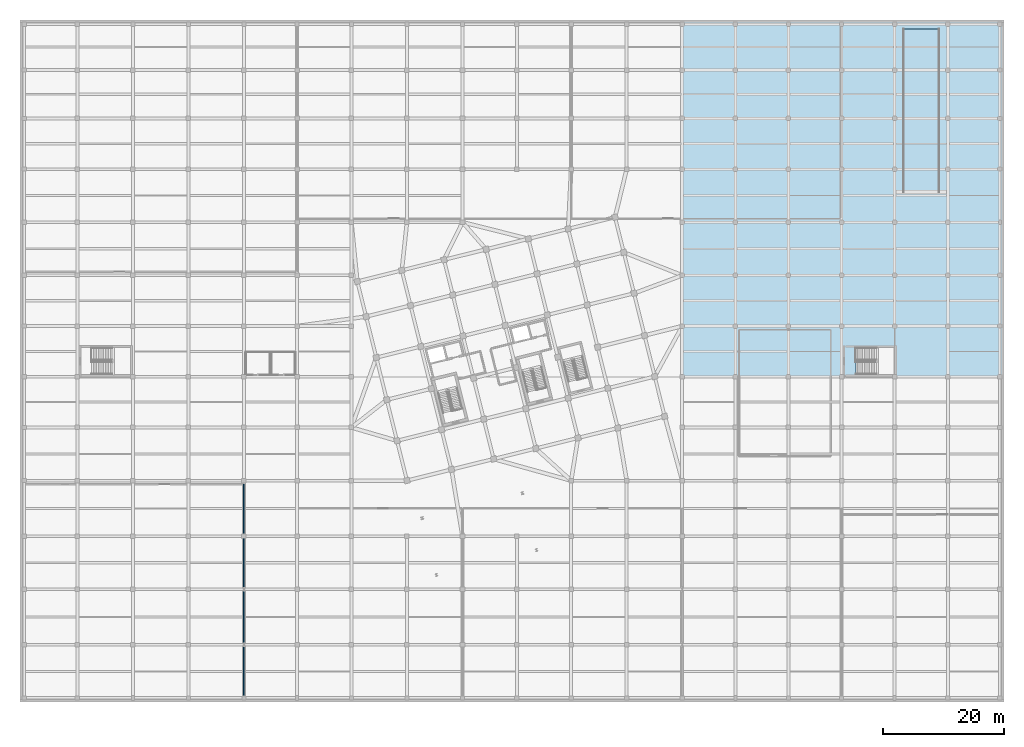
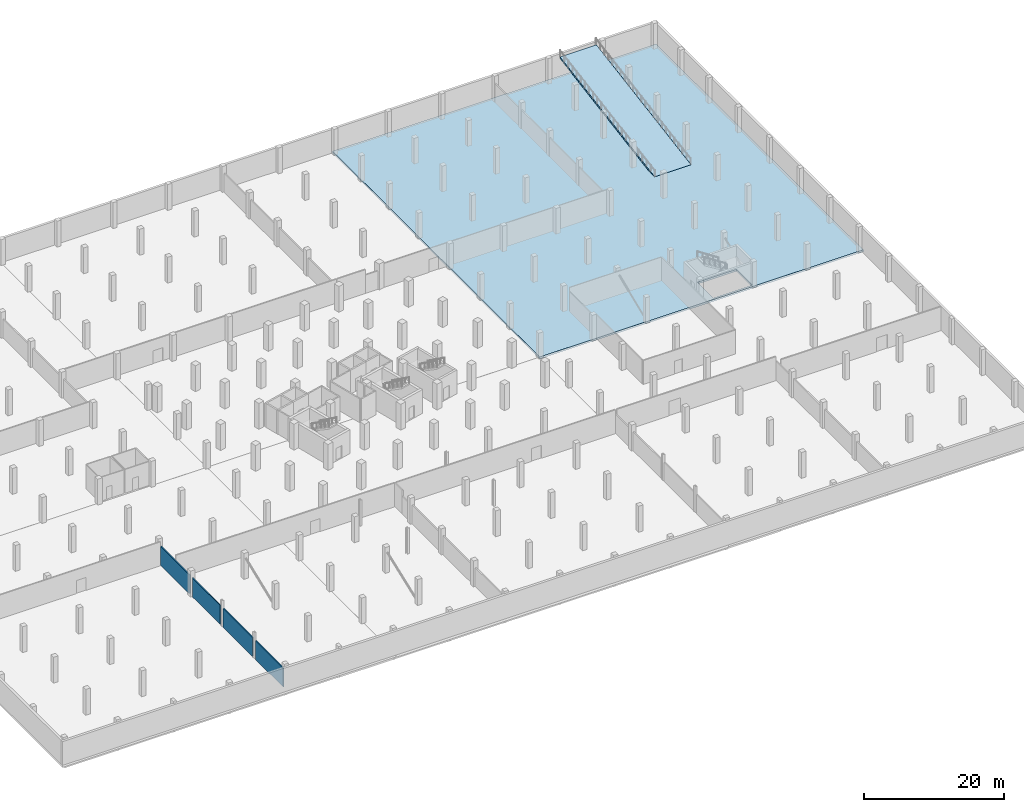
# One storey, part 17 of 31: 4 walls, 2 slabs.
"""IFC4 building model written with IfcOpenShell, lengths in metres."""

from ifc_helpers import new_model, si_unit, direction, frame, frame_2d, origin, place, context, subcontext, project, spatial, polyline, rectangle, outline, extrude, material, layer, layer_set, type_object, element, save


model = new_model("IFC4")

# Units and contexts
model_context = context("Model", 3, precision=1e-05, world=origin(), true_north=direction((0.0, 1.0)))
body_context = subcontext(model_context, "Body", "Model", "MODEL_VIEW")
ifc_project = project(units=[si_unit("LENGTHUNIT", "METRE"), si_unit("AREAUNIT", "SQUARE_METRE"), si_unit("VOLUMEUNIT", "CUBIC_METRE"), si_unit("PLANEANGLEUNIT", "RADIAN"), si_unit("MASSUNIT", "GRAM", prefix="KILO")], contexts=[model_context])

# Site, building, storey
site_placement = place(None, origin())
site = spatial("IfcSite", under=ifc_project, at=site_placement, CompositionType="ELEMENT")
building_placement = place(site_placement, origin())
building = spatial("IfcBuilding", under=site, at=building_placement, Name="Meriwether Solvik Hall", CompositionType="ELEMENT")
storey_placement = place(building_placement, frame((0.0, 0.0, -4.5)))
storey = spatial("IfcBuildingStorey", under=building, at=storey_placement, Name="B01", CompositionType="ELEMENT", Elevation=-4.5)

# Slabs
ifc_material_1 = material(Name="Concrete C40/50", Category="concrete")
ifc_layer_1 = layer(ifc_material_1, 0.330078125)
ifc_layer_set_1 = layer_set([ifc_layer_1], Name="Concrete C40/50")
slab_type_1 = type_object("IfcSlabType", Name="SLB-RC-330", PredefinedType="FLOOR", material=ifc_layer_set_1)
slab_1_placement = place(storey_placement, frame((0.0, 0.0, -0.330078125)))
element("IfcSlab", 1, at=slab_1_placement, inside=storey, type_object=slab_type_1, Name="B01 Structural Slab Zone 6", PredefinedType="FLOOR", context=body_context, shape_type="SweptSolid", body=[
    extrude(outline(polyline([(114.202880859375, 117.5), (167.5, 117.5), (167.5, 58.403076171875), (114.202880859375, 58.403076171875), (114.202880859375, 117.5)]), holes=[polyline([(149.39990234375, 63.25), (142.968017578125, 63.25), (142.968017578125, 58.75), (149.39990234375, 58.75), (149.39990234375, 63.25)])]), origin(), (0.0, 0.0, 1.0), 0.330078125),
])
ifc_material_2 = material(Name="Concrete C40/50", Category="concrete")
ifc_layer_2 = layer(ifc_material_2, 0.300048828125)
ifc_layer_set_2 = layer_set([ifc_layer_2], Name="Concrete C40/50")
slab_type_2 = type_object("IfcSlabType", Name="SLB-RMP-VEH-300", PredefinedType="FLOOR", material=ifc_layer_set_2)
slab_2_placement = place(storey_placement, frame((153.800048828125, 89.0, 0.0), z_axis=(0.0, 0.0, 1.0), x_axis=(0.0, 1.0, 0.0)))
element("IfcSlab", 2, at=slab_2_placement, inside=storey, type_object=slab_type_2, Name="Basement Vehicle Ramp Slab", PredefinedType="FLOOR", context=body_context, shape_type="SweptSolid", body=[
    extrude(outline(polyline([(0.0, 0.0), (27.0, 4.5), (27.0, 4.199951171875), (0.0, -0.300048828125), (0.0, 0.0)])), frame((0.0, 3.0, 0.0), z_axis=(0.0, -1.0, 0.0), x_axis=(1.0, 0.0, 0.0)), (0.0, 0.0, 1.0), 6.0),
])

# Walls
ifc_material_3 = material(Name="Fire-Rated Type X Gypsum Board", Category="gypsum")
ifc_layer_3 = layer(ifc_material_3, 0.175048828125)
ifc_layer_set_3 = layer_set([ifc_layer_3], Name="Fire-Rated Type X Gypsum Board")
wall_type = type_object("IfcWallType", Name="WALL-CORR-175", PredefinedType="PARTITIONING", material=ifc_layer_set_3)
wall_1_placement = place(storey_placement, frame((41.60009765625, 5.639892578125, 0.0), z_axis=(0.0, 0.0, 1.0), x_axis=(0.0, 1.0, 0.0)))
element("IfcWall", 3, at=wall_1_placement, inside=storey, type_object=wall_type, Name="B01 Interior Partition bike_hub_e", PredefinedType="PARTITIONING", context=body_context, shape_type="SweptSolid", body=[
    extrude(rectangle(XDim=7.920166015625, YDim=0.175048828125, at=frame_2d((3.9599609375, 0.0))), origin(), (0.0, 0.0, 1.0), 3.2900390625),
])
wall_2_placement = place(storey_placement, frame((41.60009765625, 14.43994140625, 0.0), z_axis=(0.0, 0.0, 1.0), x_axis=(0.0, 1.0, 0.0)))
element("IfcWall", 4, at=wall_2_placement, inside=storey, type_object=wall_type, Name="B01 Interior Partition bike_hub_e_s2", PredefinedType="PARTITIONING", context=body_context, shape_type="SweptSolid", body=[
    extrude(rectangle(XDim=8.320068359375, YDim=0.175048828125, at=frame_2d((4.16015625, 0.0))), origin(), (0.0, 0.0, 1.0), 3.2900390625),
])
wall_3_placement = place(storey_placement, frame((41.60009765625, 23.639892578125, 0.0), z_axis=(0.0, 0.0, 1.0), x_axis=(0.0, 1.0, 0.0)))
element("IfcWall", 5, at=wall_3_placement, inside=storey, type_object=wall_type, Name="B01 Interior Partition bike_hub_e_s3", PredefinedType="PARTITIONING", context=body_context, shape_type="SweptSolid", body=[
    extrude(rectangle(XDim=7.920166015625, YDim=0.175048828125, at=frame_2d((3.9599609375, 0.0))), origin(), (0.0, 0.0, 1.0), 3.2900390625),
])
wall_4_placement = place(storey_placement, frame((41.60009765625, 32.43994140625, 0.0), z_axis=(0.0, 0.0, 1.0), x_axis=(0.0, 1.0, 0.0)))
element("IfcWall", 6, at=wall_4_placement, inside=storey, type_object=wall_type, Name="B01 Interior Partition bike_hub_e_s4", PredefinedType="PARTITIONING", context=body_context, shape_type="SweptSolid", body=[
    extrude(rectangle(XDim=8.16015625, YDim=0.175048828125, at=frame_2d((4.080078125, 0.0))), origin(), (0.0, 0.0, 1.0), 3.2900390625),
])

save(model, "model.ifc")
